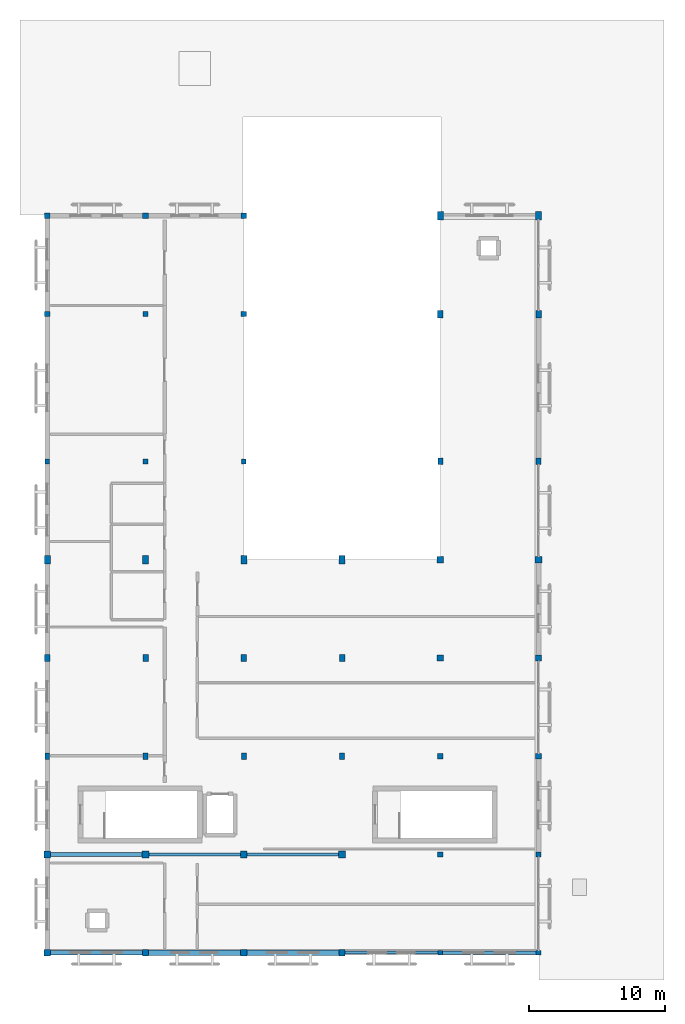
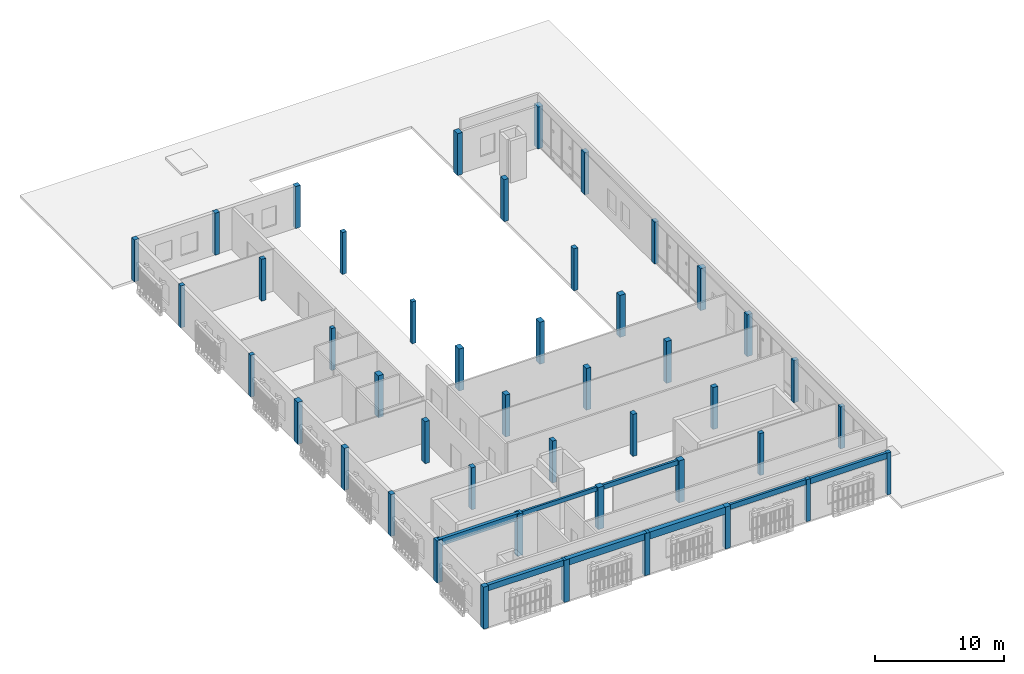
# One storey, part 1 of 11: 45 columns, 8 beams.
"""IFC4 building model written with IfcOpenShell, lengths in metres."""

from ifc_helpers import new_model, si_unit, direction, frame, origin, origin_2d, place, context, subcontext, project, spatial, rectangle, extrude, material, material_profile, profile_set, type_object, element, save


model = new_model("IFC4")

# Units and contexts
model_context = context("Model", 3, precision=1e-05, world=origin(), true_north=direction((0.0, 1.0)))
body_context = subcontext(model_context, "Body", "Model", "MODEL_VIEW")
ifc_project = project(units=[si_unit("LENGTHUNIT", "METRE"), si_unit("AREAUNIT", "SQUARE_METRE"), si_unit("VOLUMEUNIT", "CUBIC_METRE"), si_unit("PLANEANGLEUNIT", "RADIAN"), si_unit("MASSUNIT", "GRAM", prefix="KILO")], contexts=[model_context])

# Site, building, storey
site_placement = place(None, origin())
site = spatial("IfcSite", under=ifc_project, at=site_placement, CompositionType="ELEMENT")
building_placement = place(site_placement, origin())
building = spatial("IfcBuilding", under=site, at=building_placement, Name="Mazaris Harbour Polytechnic", CompositionType="ELEMENT")
storey_placement = place(building_placement, frame((0.0, 0.0, 22.199951171875)))
storey = spatial("IfcBuildingStorey", under=building, at=storey_placement, Name="L05", CompositionType="ELEMENT", Elevation=22.199951171875)

# Columns
ifc_material_1 = material(Name="Glulam GL28h", Category="wood")
ifc_material_profile_1 = material_profile(ifc_material_1, rectangle(XDim=0.340087890625, YDim=0.340087890625, at=origin_2d()), Name="RECT340x340")
ifc_profile_set_1 = profile_set([ifc_material_profile_1], Name="Glulam GL28h")
column_type_1 = type_object("IfcColumnType", Name="Glulam Column 340x340", PredefinedType="COLUMN", material=ifc_profile_set_1)
for number, where, z_axis, x_axis, name in (
    (1, (7.199951171875, 43.199951171875, 0.0), (0.0, 0.0, 1.0), (1.0, 0.0, 0.0), "V4 L05 Column 1072"),
    (2, (14.39990234375, 43.199951171875, 0.0), (0.0, 0.0, 1.0), (1.0, 0.0, 0.0), "V4 L05 Column 1080"),
):
    element("IfcColumn", number, at=place(storey_placement, frame(where, z_axis=z_axis, x_axis=x_axis)), inside=storey, type_object=column_type_1, Name=name, PredefinedType="COLUMN", context=body_context, shape_type="SweptSolid", body=[
        extrude(rectangle(XDim=0.340087890625, YDim=0.340087890625, at=origin_2d()), origin(), (0.0, 0.0, 1.0), 3.9599609375),
    ])
ifc_material_2 = material(Name="Glulam GL28h", Category="wood")
ifc_material_profile_2 = material_profile(ifc_material_2, rectangle(XDim=0.340087890625, YDim=0.340087890625, at=origin_2d()), Name="RECT340x340")
ifc_profile_set_2 = profile_set([ifc_material_profile_2], Name="Glulam GL28h")
column_type_2 = type_object("IfcColumnType", Name="Glulam Column 340x340 Exterior", PredefinedType="COLUMN", material=ifc_profile_set_2)
for number, where, z_axis, x_axis, name in (
    (3, (0.0, 43.199951171875, 0.0), (0.0, 0.0, 1.0), (1.0, 0.0, 0.0), "V4 L05 Column 1064"),
    (4, (28.800048828125, 7.199951171875, 0.0), (0.0, 0.0, 1.0), (1.0, 0.0, 0.0), "V4 L05 Column 1088"),
    (5, (36.0, 7.199951171875, 0.0), (0.0, 0.0, 1.0), (1.0, 0.0, 0.0), "V4 L05 Column 1096"),
):
    element("IfcColumn", number, at=place(storey_placement, frame(where, z_axis=z_axis, x_axis=x_axis)), inside=storey, type_object=column_type_2, Name=name, PredefinedType="COLUMN", context=body_context, shape_type="SweptSolid", body=[
        extrude(rectangle(XDim=0.340087890625, YDim=0.340087890625, at=origin_2d()), origin(), (0.0, 0.0, 1.0), 3.9599609375),
    ])
ifc_material_3 = material(Name="Glulam GL28h", Category="wood")
ifc_material_profile_3 = material_profile(ifc_material_3, rectangle(XDim=0.360107421875, YDim=0.47998046875, at=origin_2d()), Name="RECT360x480")
ifc_profile_set_3 = profile_set([ifc_material_profile_3], Name="Glulam GL28h")
column_type_3 = type_object("IfcColumnType", Name="Glulam Column 360x480", PredefinedType="COLUMN", material=ifc_profile_set_3)
for number, where, z_axis, x_axis, name in (
    (6, (7.199951171875, 21.60009765625, 0.0), (0.0, 0.0, 1.0), (1.0, 0.0, 0.0), "V4 L05 Column 1069"),
    (7, (14.39990234375, 21.60009765625, 0.0), (0.0, 0.0, 1.0), (1.0, 0.0, 0.0), "V4 L05 Column 1077"),
    (8, (21.60009765625, 21.60009765625, 0.0), (0.0, 0.0, 1.0), (1.0, 0.0, 0.0), "V4 L05 Column 1085"),
    (9, (28.800048828125, 43.199951171875, 0.0), (0.0, 0.0, 1.0), (1.0, 0.0, 0.0), "V4 L05 Column 1093"),
):
    element("IfcColumn", number, at=place(storey_placement, frame(where, z_axis=z_axis, x_axis=x_axis)), inside=storey, type_object=column_type_3, Name=name, PredefinedType="COLUMN", context=body_context, shape_type="SweptSolid", body=[
        extrude(rectangle(XDim=0.360107421875, YDim=0.47998046875, at=origin_2d()), origin(), (0.0, 0.0, 1.0), 3.9599609375),
    ])
ifc_material_4 = material(Name="Glulam GL28h", Category="wood")
ifc_material_profile_4 = material_profile(ifc_material_4, rectangle(XDim=0.360107421875, YDim=0.47998046875, at=origin_2d()), Name="RECT360x480")
ifc_profile_set_4 = profile_set([ifc_material_profile_4], Name="Glulam GL28h")
column_type_4 = type_object("IfcColumnType", Name="Glulam Column 360x480 Exterior", PredefinedType="COLUMN", material=ifc_profile_set_4)
for number, where, z_axis, x_axis, name in (
    (10, (0.0, 21.60009765625, 0.0), (0.0, 0.0, 1.0), (1.0, 0.0, 0.0), "V4 L05 Column 1061"),
    (11, (36.0, 43.199951171875, 0.0), (0.0, 0.0, 1.0), (1.0, 0.0, 0.0), "V4 L05 Column 1101"),
):
    element("IfcColumn", number, at=place(storey_placement, frame(where, z_axis=z_axis, x_axis=x_axis)), inside=storey, type_object=column_type_4, Name=name, PredefinedType="COLUMN", context=body_context, shape_type="SweptSolid", body=[
        extrude(rectangle(XDim=0.360107421875, YDim=0.47998046875, at=origin_2d()), origin(), (0.0, 0.0, 1.0), 3.9599609375),
    ])
ifc_material_5 = material(Name="Glulam GL28h", Category="wood")
ifc_material_profile_5 = material_profile(ifc_material_5, rectangle(XDim=0.3798828125, YDim=0.3798828125, at=origin_2d()), Name="RECT380x380")
ifc_profile_set_5 = profile_set([ifc_material_profile_5], Name="Glulam GL28h")
column_type_5 = type_object("IfcColumnType", Name="Glulam Column 380x380", PredefinedType="COLUMN", material=ifc_profile_set_5)
for number, where, z_axis, x_axis, name in (
    (12, (7.199951171875, 54.0, 0.0), (0.0, 0.0, 1.0), (1.0, 0.0, 0.0), "V4 L05 Column 1073"),
    (13, (14.39990234375, 54.0, 0.0), (0.0, 0.0, 1.0), (1.0, 0.0, 0.0), "V4 L05 Column 1081"),
    (14, (28.800048828125, 14.39990234375, 0.0), (0.0, 0.0, 1.0), (1.0, 0.0, 0.0), "V4 L05 Column 1089"),
):
    element("IfcColumn", number, at=place(storey_placement, frame(where, z_axis=z_axis, x_axis=x_axis)), inside=storey, type_object=column_type_5, Name=name, PredefinedType="COLUMN", context=body_context, shape_type="SweptSolid", body=[
        extrude(rectangle(XDim=0.3798828125, YDim=0.3798828125, at=origin_2d()), origin(), (0.0, 0.0, 1.0), 3.9599609375),
    ])
ifc_material_6 = material(Name="Glulam GL28h", Category="wood")
ifc_material_profile_6 = material_profile(ifc_material_6, rectangle(XDim=0.3798828125, YDim=0.3798828125, at=origin_2d()), Name="RECT380x380")
ifc_profile_set_6 = profile_set([ifc_material_profile_6], Name="Glulam GL28h")
column_type_6 = type_object("IfcColumnType", Name="Glulam Column 380x380 Exterior", PredefinedType="COLUMN", material=ifc_profile_set_6)
for number, where, z_axis, x_axis, name in (
    (15, (0.0, 54.0, 0.0), (0.0, 0.0, 1.0), (1.0, 0.0, 0.0), "V4 L05 Column 1065"),
    (16, (36.0, 14.39990234375, 0.0), (0.0, 0.0, 1.0), (1.0, 0.0, 0.0), "V4 L05 Column 1097"),
):
    element("IfcColumn", number, at=place(storey_placement, frame(where, z_axis=z_axis, x_axis=x_axis)), inside=storey, type_object=column_type_6, Name=name, PredefinedType="COLUMN", context=body_context, shape_type="SweptSolid", body=[
        extrude(rectangle(XDim=0.3798828125, YDim=0.3798828125, at=origin_2d()), origin(), (0.0, 0.0, 1.0), 3.9599609375),
    ])
ifc_material_7 = material(Name="Glulam GL28h", Category="wood")
ifc_material_profile_7 = material_profile(ifc_material_7, rectangle(XDim=0.39990234375, YDim=0.5400390625, at=origin_2d()), Name="RECT400x540")
ifc_profile_set_7 = profile_set([ifc_material_profile_7], Name="Glulam GL28h")
column_type_7 = type_object("IfcColumnType", Name="Glulam Column 400x540", PredefinedType="COLUMN", material=ifc_profile_set_7)
for number, where, z_axis, x_axis, name in (
    (17, (7.199951171875, 28.800048828125, 0.0), (0.0, 0.0, 1.0), (1.0, 0.0, 0.0), "V4 L05 Column 1070"),
    (18, (14.39990234375, 28.800048828125, 0.0), (0.0, 0.0, 1.0), (1.0, 0.0, 0.0), "V4 L05 Column 1078"),
    (19, (21.60009765625, 28.800048828125, 0.0), (0.0, 0.0, 1.0), (1.0, 0.0, 0.0), "V4 L05 Column 1086"),
    (20, (28.800048828125, 54.0, 0.0), (0.0, 0.0, 1.0), (1.0, 0.0, 0.0), "V4 L05 Column 1094"),
):
    element("IfcColumn", number, at=place(storey_placement, frame(where, z_axis=z_axis, x_axis=x_axis)), inside=storey, type_object=column_type_7, Name=name, PredefinedType="COLUMN", context=body_context, shape_type="SweptSolid", body=[
        extrude(rectangle(XDim=0.39990234375, YDim=0.5400390625, at=origin_2d()), origin(), (0.0, 0.0, 1.0), 3.9599609375),
    ])
ifc_material_8 = material(Name="Glulam GL28h", Category="wood")
ifc_material_profile_8 = material_profile(ifc_material_8, rectangle(XDim=0.39990234375, YDim=0.5400390625, at=origin_2d()), Name="RECT400x540")
ifc_profile_set_8 = profile_set([ifc_material_profile_8], Name="Glulam GL28h")
column_type_8 = type_object("IfcColumnType", Name="Glulam Column 400x540 Exterior", PredefinedType="COLUMN", material=ifc_profile_set_8)
for number, where, z_axis, x_axis, name in (
    (21, (0.0, 28.800048828125, 0.0), (0.0, 0.0, 1.0), (1.0, 0.0, 0.0), "V4 L05 Column 1062"),
    (22, (36.0, 54.0, 0.0), (0.0, 0.0, 1.0), (1.0, 0.0, 0.0), "V4 L05 Column 1102"),
):
    element("IfcColumn", number, at=place(storey_placement, frame(where, z_axis=z_axis, x_axis=x_axis)), inside=storey, type_object=column_type_8, Name=name, PredefinedType="COLUMN", context=body_context, shape_type="SweptSolid", body=[
        extrude(rectangle(XDim=0.39990234375, YDim=0.5400390625, at=origin_2d()), origin(), (0.0, 0.0, 1.0), 3.9599609375),
    ])
ifc_material_9 = material(Name="Glulam GL28h", Category="wood")
ifc_material_profile_9 = material_profile(ifc_material_9, rectangle(XDim=0.419921875, YDim=0.419921875, at=origin_2d()), Name="RECT420x420")
ifc_profile_set_9 = profile_set([ifc_material_profile_9], Name="Glulam GL28h")
column_type_9 = type_object("IfcColumnType", Name="Glulam Column 420x420", PredefinedType="COLUMN", material=ifc_profile_set_9)
column_1_placement = place(storey_placement, frame((28.800048828125, 21.60009765625, 0.0), z_axis=(0.0, 0.0, 1.0), x_axis=(1.0, 0.0, 0.0)))
element("IfcColumn", 23, at=column_1_placement, inside=storey, type_object=column_type_9, Name="V4 L05 Column 1090", PredefinedType="COLUMN", context=body_context, shape_type="SweptSolid", body=[
    extrude(rectangle(XDim=0.419921875, YDim=0.419921875, at=origin_2d()), origin(), (0.0, 0.0, 1.0), 3.9599609375),
])
ifc_material_10 = material(Name="Glulam GL28h", Category="wood")
ifc_material_profile_10 = material_profile(ifc_material_10, rectangle(XDim=0.419921875, YDim=0.419921875, at=origin_2d()), Name="RECT420x420")
ifc_profile_set_10 = profile_set([ifc_material_profile_10], Name="Glulam GL28h")
column_type_10 = type_object("IfcColumnType", Name="Glulam Column 420x420 Exterior", PredefinedType="COLUMN", material=ifc_profile_set_10)
for number, where, z_axis, x_axis, name in (
    (24, (0.0, 61.199951171875, 0.0), (0.0, 0.0, 1.0), (1.0, 0.0, 0.0), "V4 L05 Column 1066"),
    (25, (7.199951171875, 61.199951171875, 0.0), (0.0, 0.0, 1.0), (1.0, 0.0, 0.0), "V4 L05 Column 1074"),
    (26, (14.39990234375, 61.199951171875, 0.0), (0.0, 0.0, 1.0), (1.0, 0.0, 0.0), "V4 L05 Column 1082"),
    (27, (36.0, 21.60009765625, 0.0), (0.0, 0.0, 1.0), (1.0, 0.0, 0.0), "V4 L05 Column 1098"),
):
    element("IfcColumn", number, at=place(storey_placement, frame(where, z_axis=z_axis, x_axis=x_axis)), inside=storey, type_object=column_type_10, Name=name, PredefinedType="COLUMN", context=body_context, shape_type="SweptSolid", body=[
        extrude(rectangle(XDim=0.419921875, YDim=0.419921875, at=origin_2d()), origin(), (0.0, 0.0, 1.0), 3.9599609375),
    ])
ifc_material_11 = material(Name="Glulam GL28h", Category="wood")
ifc_material_profile_11 = material_profile(ifc_material_11, rectangle(XDim=0.43994140625, YDim=0.60009765625, at=origin_2d()), Name="RECT440x600")
ifc_profile_set_11 = profile_set([ifc_material_profile_11], Name="Glulam GL28h")
column_type_11 = type_object("IfcColumnType", Name="Glulam Column 440x600", PredefinedType="COLUMN", material=ifc_profile_set_11)
for number, where, z_axis, x_axis, name in (
    (28, (7.199951171875, 36.0, 0.0), (0.0, 0.0, 1.0), (1.0, 0.0, 0.0), "V4 L05 Column 1071"),
    (29, (14.39990234375, 36.0, 0.0), (0.0, 0.0, 1.0), (1.0, 0.0, 0.0), "V4 L05 Column 1079"),
    (30, (21.60009765625, 36.0, 0.0), (0.0, 0.0, 1.0), (1.0, 0.0, 0.0), "V4 L05 Column 1087"),
):
    element("IfcColumn", number, at=place(storey_placement, frame(where, z_axis=z_axis, x_axis=x_axis)), inside=storey, type_object=column_type_11, Name=name, PredefinedType="COLUMN", context=body_context, shape_type="SweptSolid", body=[
        extrude(rectangle(XDim=0.43994140625, YDim=0.60009765625, at=origin_2d()), origin(), (0.0, 0.0, 1.0), 3.9599609375),
    ])
ifc_material_12 = material(Name="Glulam GL28h", Category="wood")
ifc_material_profile_12 = material_profile(ifc_material_12, rectangle(XDim=0.43994140625, YDim=0.60009765625, at=origin_2d()), Name="RECT440x600")
ifc_profile_set_12 = profile_set([ifc_material_profile_12], Name="Glulam GL28h")
column_type_12 = type_object("IfcColumnType", Name="Glulam Column 440x600 Exterior", PredefinedType="COLUMN", material=ifc_profile_set_12)
for number, where, z_axis, x_axis, name in (
    (31, (0.0, 36.0, 0.0), (0.0, 0.0, 1.0), (1.0, 0.0, 0.0), "V4 L05 Column 1063"),
    (32, (28.800048828125, 61.199951171875, 0.0), (0.0, 0.0, 1.0), (1.0, 0.0, 0.0), "V4 L05 Column 1095"),
    (33, (36.0, 61.199951171875, 0.0), (0.0, 0.0, 1.0), (1.0, 0.0, 0.0), "V4 L05 Column 1103"),
):
    element("IfcColumn", number, at=place(storey_placement, frame(where, z_axis=z_axis, x_axis=x_axis)), inside=storey, type_object=column_type_12, Name=name, PredefinedType="COLUMN", context=body_context, shape_type="SweptSolid", body=[
        extrude(rectangle(XDim=0.43994140625, YDim=0.60009765625, at=origin_2d()), origin(), (0.0, 0.0, 1.0), 3.9599609375),
    ])
ifc_material_13 = material(Name="Glulam GL28h", Category="wood")
ifc_material_profile_13 = material_profile(ifc_material_13, rectangle(XDim=0.4599609375, YDim=0.4599609375, at=origin_2d()), Name="RECT460x460")
ifc_profile_set_13 = profile_set([ifc_material_profile_13], Name="Glulam GL28h")
column_type_13 = type_object("IfcColumnType", Name="Glulam Column 460x460", PredefinedType="COLUMN", material=ifc_profile_set_13)
column_2_placement = place(storey_placement, frame((28.800048828125, 28.800048828125, 0.0), z_axis=(0.0, 0.0, 1.0), x_axis=(1.0, 0.0, 0.0)))
element("IfcColumn", 34, at=column_2_placement, inside=storey, type_object=column_type_13, Name="V4 L05 Column 1091", PredefinedType="COLUMN", context=body_context, shape_type="SweptSolid", body=[
    extrude(rectangle(XDim=0.4599609375, YDim=0.4599609375, at=origin_2d()), origin(), (0.0, 0.0, 1.0), 3.9599609375),
])
ifc_material_14 = material(Name="Glulam GL28h", Category="wood")
ifc_material_profile_14 = material_profile(ifc_material_14, rectangle(XDim=0.4599609375, YDim=0.4599609375, at=origin_2d()), Name="RECT460x460")
ifc_profile_set_14 = profile_set([ifc_material_profile_14], Name="Glulam GL28h")
column_type_14 = type_object("IfcColumnType", Name="Glulam Column 460x460 Exterior", PredefinedType="COLUMN", material=ifc_profile_set_14)
for number, where, z_axis, x_axis, name in (
    (35, (0.0, 7.199951171875, 0.0), (0.0, 0.0, 1.0), (1.0, 0.0, 0.0), "V4 L05 Column 1059"),
    (36, (7.199951171875, 7.199951171875, 0.0), (0.0, 0.0, 1.0), (1.0, 0.0, 0.0), "V4 L05 Column 1067"),
    (37, (14.39990234375, 7.199951171875, 0.0), (0.0, 0.0, 1.0), (1.0, 0.0, 0.0), "V4 L05 Column 1075"),
    (38, (21.60009765625, 7.199951171875, 0.0), (0.0, 0.0, 1.0), (1.0, 0.0, 0.0), "V4 L05 Column 1083"),
    (39, (36.0, 28.800048828125, 0.0), (0.0, 0.0, 1.0), (1.0, 0.0, 0.0), "V4 L05 Column 1099"),
):
    element("IfcColumn", number, at=place(storey_placement, frame(where, z_axis=z_axis, x_axis=x_axis)), inside=storey, type_object=column_type_14, Name=name, PredefinedType="COLUMN", context=body_context, shape_type="SweptSolid", body=[
        extrude(rectangle(XDim=0.4599609375, YDim=0.4599609375, at=origin_2d()), origin(), (0.0, 0.0, 1.0), 3.9599609375),
    ])
ifc_material_15 = material(Name="Glulam GL28h", Category="wood")
ifc_material_profile_15 = material_profile(ifc_material_15, rectangle(XDim=0.5, YDim=0.5, at=origin_2d()), Name="RECT500x500")
ifc_profile_set_15 = profile_set([ifc_material_profile_15], Name="Glulam GL28h")
column_type_15 = type_object("IfcColumnType", Name="Glulam Column 500x500", PredefinedType="COLUMN", material=ifc_profile_set_15)
for number, where, z_axis, x_axis, name in (
    (40, (7.199951171875, 14.39990234375, 0.0), (0.0, 0.0, 1.0), (1.0, 0.0, 0.0), "V4 L05 Column 1068"),
    (41, (14.39990234375, 14.39990234375, 0.0), (0.0, 0.0, 1.0), (1.0, 0.0, 0.0), "V4 L05 Column 1076"),
    (42, (21.60009765625, 14.39990234375, 0.0), (0.0, 0.0, 1.0), (1.0, 0.0, 0.0), "V4 L05 Column 1084"),
    (43, (28.800048828125, 36.0, 0.0), (0.0, 0.0, 1.0), (1.0, 0.0, 0.0), "V4 L05 Column 1092"),
):
    element("IfcColumn", number, at=place(storey_placement, frame(where, z_axis=z_axis, x_axis=x_axis)), inside=storey, type_object=column_type_15, Name=name, PredefinedType="COLUMN", context=body_context, shape_type="SweptSolid", body=[
        extrude(rectangle(XDim=0.5, YDim=0.5, at=origin_2d()), origin(), (0.0, 0.0, 1.0), 3.9599609375),
    ])
ifc_material_16 = material(Name="Glulam GL28h", Category="wood")
ifc_material_profile_16 = material_profile(ifc_material_16, rectangle(XDim=0.5, YDim=0.5, at=origin_2d()), Name="RECT500x500")
ifc_profile_set_16 = profile_set([ifc_material_profile_16], Name="Glulam GL28h")
column_type_16 = type_object("IfcColumnType", Name="Glulam Column 500x500 Exterior", PredefinedType="COLUMN", material=ifc_profile_set_16)
for number, where, z_axis, x_axis, name in (
    (44, (0.0, 14.39990234375, 0.0), (0.0, 0.0, 1.0), (1.0, 0.0, 0.0), "V4 L05 Column 1060"),
    (45, (36.0, 36.0, 0.0), (0.0, 0.0, 1.0), (1.0, 0.0, 0.0), "V4 L05 Column 1100"),
):
    element("IfcColumn", number, at=place(storey_placement, frame(where, z_axis=z_axis, x_axis=x_axis)), inside=storey, type_object=column_type_16, Name=name, PredefinedType="COLUMN", context=body_context, shape_type="SweptSolid", body=[
        extrude(rectangle(XDim=0.5, YDim=0.5, at=origin_2d()), origin(), (0.0, 0.0, 1.0), 3.9599609375),
    ])

# Beams
ifc_material_17 = material(Name="Glulam GL32h", Category="wood")
ifc_material_profile_17 = material_profile(ifc_material_17, rectangle(XDim=0.25, YDim=0.550048828125, at=origin_2d()), Name="RECT250x550")
ifc_profile_set_17 = profile_set([ifc_material_profile_17], Name="Glulam GL32h")
beam_type_1 = type_object("IfcBeamType", Name="Glulam Girder 250x550", PredefinedType="BEAM", material=ifc_profile_set_17)
beam_1_placement = place(storey_placement, frame((28.800048828125, 7.199951171875, 3.68505859375), z_axis=(1.0, 0.0, 0.0), x_axis=(0.0, 1.0, 0.0)))
element("IfcBeam", 46, at=beam_1_placement, inside=storey, type_object=beam_type_1, Name="Atrium Court Header RFBM-V4-L05-05", PredefinedType="BEAM", context=body_context, shape_type="SweptSolid", body=[
    extrude(rectangle(XDim=0.25, YDim=0.550048828125, at=origin_2d()), origin(), (0.0, 0.0, 1.0), 7.199951171875),
])
ifc_material_18 = material(Name="Glulam GL32h", Category="wood")
ifc_material_profile_18 = material_profile(ifc_material_18, rectangle(XDim=0.2900390625, YDim=0.659912109375, at=origin_2d()), Name="RECT290x660")
ifc_profile_set_18 = profile_set([ifc_material_profile_18], Name="Glulam GL32h")
beam_type_2 = type_object("IfcBeamType", Name="Glulam Girder 290x660", PredefinedType="BEAM", material=ifc_profile_set_18)
beam_2_placement = place(storey_placement, frame((0.0, 14.39990234375, 3.630126953125), z_axis=(1.0, 0.0, 0.0), x_axis=(0.0, 1.0, 0.0)))
element("IfcBeam", 47, at=beam_2_placement, inside=storey, type_object=beam_type_2, Name="Atrium Court Header RFBM-V4-L05-06", PredefinedType="BEAM", context=body_context, shape_type="SweptSolid", body=[
    extrude(rectangle(XDim=0.2900390625, YDim=0.659912109375, at=origin_2d()), origin(), (0.0, 0.0, 1.0), 7.199951171875),
])
ifc_material_19 = material(Name="Glulam GL28h", Category="wood")
ifc_material_profile_19 = material_profile(ifc_material_19, rectangle(XDim=0.18994140625, YDim=0.39990234375, at=origin_2d()), Name="RECT190x400")
ifc_profile_set_19 = profile_set([ifc_material_profile_19], Name="Glulam GL28h")
beam_type_3 = type_object("IfcBeamType", Name="Glulam Joist 190x400", PredefinedType="JOIST", material=ifc_profile_set_19)
beam_3_placement = place(storey_placement, frame((7.199951171875, 14.39990234375, 3.760009765625), z_axis=(1.0, 0.0, 0.0), x_axis=(0.0, 1.0, 0.0)))
element("IfcBeam", 48, at=beam_3_placement, inside=storey, type_object=beam_type_3, Name="Atrium Court Header RFBM-V4-L05-07", PredefinedType="JOIST", context=body_context, shape_type="SweptSolid", body=[
    extrude(rectangle(XDim=0.18994140625, YDim=0.39990234375, at=origin_2d()), origin(), (0.0, 0.0, 1.0), 7.199951171875),
])
ifc_material_20 = material(Name="Glulam GL28h", Category="wood")
ifc_material_profile_20 = material_profile(ifc_material_20, rectangle(XDim=0.2099609375, YDim=0.43994140625, at=origin_2d()), Name="RECT210x440")
ifc_profile_set_20 = profile_set([ifc_material_profile_20], Name="Glulam GL28h")
beam_type_4 = type_object("IfcBeamType", Name="Glulam Joist 210x440", PredefinedType="JOIST", material=ifc_profile_set_20)
beam_4_placement = place(storey_placement, frame((14.39990234375, 14.39990234375, 3.739990234375), z_axis=(1.0, 0.0, 0.0), x_axis=(0.0, 1.0, 0.0)))
element("IfcBeam", 49, at=beam_4_placement, inside=storey, type_object=beam_type_4, Name="Atrium Court Header RFBM-V4-L05-08", PredefinedType="JOIST", context=body_context, shape_type="SweptSolid", body=[
    extrude(rectangle(XDim=0.2099609375, YDim=0.43994140625, at=origin_2d()), origin(), (0.0, 0.0, 1.0), 7.2001953125),
])
ifc_material_21 = material(Name="Glulam GL32h", Category="wood")
ifc_material_profile_21 = material_profile(ifc_material_21, rectangle(XDim=0.219970703125, YDim=0.47998046875, at=origin_2d()), Name="RECT220x480")
ifc_profile_set_21 = profile_set([ifc_material_profile_21], Name="Glulam GL32h")
beam_type_5 = type_object("IfcBeamType", Name="Glulam Spandrel 220x480", PredefinedType="SPANDREL", material=ifc_profile_set_21)
beam_5_placement = place(storey_placement, frame((21.60009765625, 7.199951171875, 3.719970703125), z_axis=(1.0, 0.0, 0.0), x_axis=(0.0, 1.0, 0.0)))
element("IfcBeam", 50, at=beam_5_placement, inside=storey, type_object=beam_type_5, Name="Atrium Court Header RFBM-V4-L05-04", PredefinedType="SPANDREL", context=body_context, shape_type="SweptSolid", body=[
    extrude(rectangle(XDim=0.219970703125, YDim=0.47998046875, at=origin_2d()), origin(), (0.0, 0.0, 1.0), 7.199951171875),
])
ifc_material_22 = material(Name="Concrete C35/45", Category="concrete")
ifc_material_profile_22 = material_profile(ifc_material_22, rectangle(XDim=0.3798828125, YDim=0.6201171875, at=origin_2d()), Name="RECT380x620")
ifc_profile_set_22 = profile_set([ifc_material_profile_22], Name="Concrete C35/45")
beam_type_6 = type_object("IfcBeamType", Name="RC Girder 380x620", PredefinedType="BEAM", material=ifc_profile_set_22)
beam_6_placement = place(storey_placement, frame((7.199951171875, 7.199951171875, 3.650146484375), z_axis=(1.0, 0.0, 0.0), x_axis=(0.0, 1.0, 0.0)))
element("IfcBeam", 51, at=beam_6_placement, inside=storey, type_object=beam_type_6, Name="Atrium Court Header RFBM-V4-L05-02", PredefinedType="BEAM", context=body_context, shape_type="SweptSolid", body=[
    extrude(rectangle(XDim=0.3798828125, YDim=0.6201171875, at=origin_2d()), origin(), (0.0, 0.0, 1.0), 7.199951171875),
])
ifc_material_23 = material(Name="Concrete C35/45", Category="concrete")
ifc_material_profile_23 = material_profile(ifc_material_23, rectangle(XDim=0.419921875, YDim=0.679931640625, at=origin_2d()), Name="RECT420x680")
ifc_profile_set_23 = profile_set([ifc_material_profile_23], Name="Concrete C35/45")
beam_type_7 = type_object("IfcBeamType", Name="RC Girder 420x680", PredefinedType="BEAM", material=ifc_profile_set_23)
beam_7_placement = place(storey_placement, frame((14.39990234375, 7.199951171875, 3.6201171875), z_axis=(1.0, 0.0, 0.0), x_axis=(0.0, 1.0, 0.0)))
element("IfcBeam", 52, at=beam_7_placement, inside=storey, type_object=beam_type_7, Name="Atrium Court Header RFBM-V4-L05-03", PredefinedType="BEAM", context=body_context, shape_type="SweptSolid", body=[
    extrude(rectangle(XDim=0.419921875, YDim=0.679931640625, at=origin_2d()), origin(), (0.0, 0.0, 1.0), 7.2001953125),
])
ifc_material_24 = material(Name="Concrete C35/45", Category="concrete")
ifc_material_profile_24 = material_profile(ifc_material_24, rectangle(XDim=0.320068359375, YDim=0.550048828125, at=origin_2d()), Name="RECT320x550")
ifc_profile_set_24 = profile_set([ifc_material_profile_24], Name="Concrete C35/45")
beam_type_8 = type_object("IfcBeamType", Name="RC Spandrel 320x550", PredefinedType="SPANDREL", material=ifc_profile_set_24)
beam_8_placement = place(storey_placement, frame((0.0, 7.199951171875, 3.68505859375), z_axis=(1.0, 0.0, 0.0), x_axis=(0.0, 1.0, 0.0)))
element("IfcBeam", 53, at=beam_8_placement, inside=storey, type_object=beam_type_8, Name="Atrium Court Header RFBM-V4-L05-01", PredefinedType="SPANDREL", context=body_context, shape_type="SweptSolid", body=[
    extrude(rectangle(XDim=0.320068359375, YDim=0.550048828125, at=origin_2d()), origin(), (0.0, 0.0, 1.0), 7.199951171875),
])

save(model, "model.ifc")
